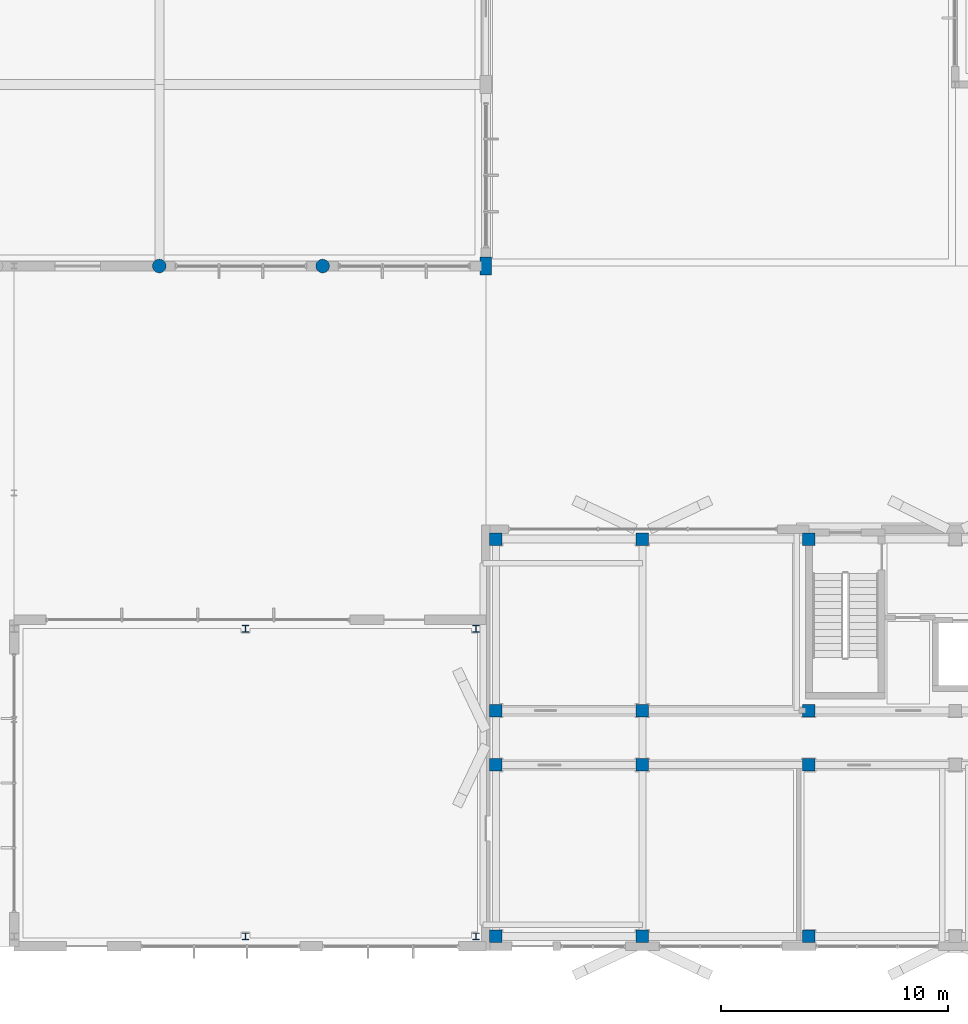
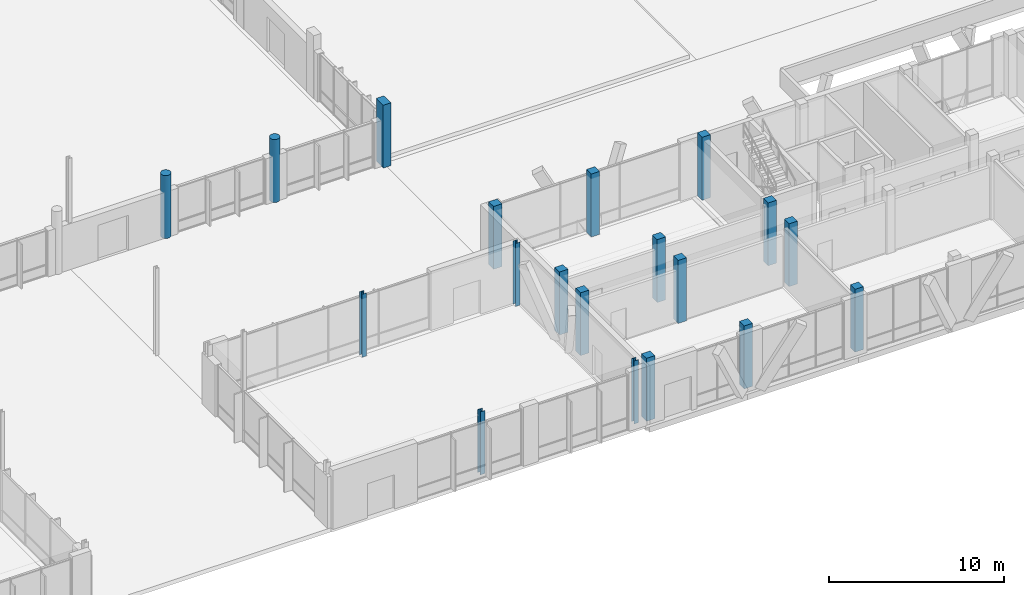
# One storey, part 6 of 233: 19 columns.
"""IFC4 building model written with IfcOpenShell, lengths in metres."""

from ifc_helpers import new_model, si_unit, direction, frame, origin, origin_2d, place, context, subcontext, project, spatial, rectangle, circle, i_section, extrude, material, material_profile, profile_set, type_object, element, save


model = new_model("IFC4")

# Units and contexts
model_context = context("Model", 3, precision=1e-05, world=origin(), true_north=direction((0.0, 1.0)))
body_context = subcontext(model_context, "Body", "Model", "MODEL_VIEW")
ifc_project = project(units=[si_unit("LENGTHUNIT", "METRE"), si_unit("AREAUNIT", "SQUARE_METRE"), si_unit("VOLUMEUNIT", "CUBIC_METRE"), si_unit("PLANEANGLEUNIT", "RADIAN"), si_unit("MASSUNIT", "GRAM", prefix="KILO")], contexts=[model_context])

# Site, building, storey
site_placement = place(None, origin())
site = spatial("IfcSite", under=ifc_project, at=site_placement, CompositionType="ELEMENT")
building_placement = place(site_placement, origin())
building = spatial("IfcBuilding", under=site, at=building_placement, Name="Zavelmont Quarter", CompositionType="ELEMENT")
storey_placement = place(building_placement, origin())
storey = spatial("IfcBuildingStorey", under=building, at=storey_placement, Name="L00", CompositionType="ELEMENT", Elevation=0.0)

# Columns
ifc_material_1 = material(Name="Concrete C40/50", Category="concrete")
ifc_material_profile_1 = material_profile(ifc_material_1, rectangle(XDim=0.550048828125, YDim=0.550048828125, at=origin_2d()), Name="RC550X550")
ifc_profile_set_1 = profile_set([ifc_material_profile_1], Name="Concrete C40/50")
column_type_1 = type_object("IfcColumnType", Name="CL02", PredefinedType="COLUMN", material=ifc_profile_set_1)
for number, where, z_axis, x_axis, name in (
    (1, (113.239990234375, 0.43994140625, 0.0), (0.0, 0.0, 1.0), (1.0, 0.0, 0.0), "L00 column CL02 at 17/A"),
    (2, (113.239990234375, 8.0, 0.0), (0.0, 0.0, 1.0), (1.0, 0.0, 0.0), "L00 column CL02 at 17/B"),
    (3, (113.239990234375, 10.39990234375, 0.0), (0.0, 0.0, 1.0), (1.0, 0.0, 0.0), "L00 column CL02 at 17/C"),
    (4, (113.239990234375, 17.9599609375, 0.0), (0.0, 0.0, 1.0), (1.0, 0.0, 0.0), "L00 column CL02 at 17/D"),
    (5, (119.699951171875, 0.43994140625, 0.0), (0.0, 0.0, 1.0), (1.0, 0.0, 0.0), "L00 column CL02 at 18/A"),
    (6, (119.699951171875, 8.0, 0.0), (0.0, 0.0, 1.0), (1.0, 0.0, 0.0), "L00 column CL02 at 18/B"),
    (7, (119.699951171875, 10.39990234375, 0.0), (0.0, 0.0, 1.0), (1.0, 0.0, 0.0), "L00 column CL02 at 18/C"),
    (8, (119.699951171875, 17.9599609375, 0.0), (0.0, 0.0, 1.0), (1.0, 0.0, 0.0), "L00 column CL02 at 18/D"),
    (9, (127.0400390625, 0.43994140625, 0.0), (0.0, 0.0, 1.0), (1.0, 0.0, 0.0), "L00 column CL02 at 19/A"),
    (10, (127.0400390625, 8.0, 0.0), (0.0, 0.0, 1.0), (1.0, 0.0, 0.0), "L00 column CL02 at 19/B"),
    (11, (127.0400390625, 10.39990234375, 0.0), (0.0, 0.0, 1.0), (1.0, 0.0, 0.0), "L00 column CL02 at 19/C"),
    (12, (127.0400390625, 17.9599609375, 0.0), (0.0, 0.0, 1.0), (1.0, 0.0, 0.0), "L00 column CL02 at 19/D"),
):
    element("IfcColumn", number, at=place(storey_placement, frame(where, z_axis=z_axis, x_axis=x_axis)), inside=storey, type_object=column_type_1, Name=name, PredefinedType="COLUMN", context=body_context, shape_type="SweptSolid", body=[
        extrude(rectangle(XDim=0.550048828125, YDim=0.550048828125, at=origin_2d()), origin(), (0.0, 0.0, 1.0), 4.39990234375),
    ])
ifc_material_profile_2 = material_profile(ifc_material_1, rectangle(XDim=0.5, YDim=0.800048828125, at=origin_2d()), Name="RC500X800")
ifc_profile_set_2 = profile_set([ifc_material_profile_2], Name="Concrete C40/50")
column_type_2 = type_object("IfcColumnType", Name="CL07", PredefinedType="COLUMN", material=ifc_profile_set_2)
column_placement = place(storey_placement, frame((112.800048828125, 30.0, 0.0), z_axis=(0.0, 0.0, 1.0), x_axis=(1.0, 0.0, 0.0)))
element("IfcColumn", 13, at=column_placement, inside=storey, type_object=column_type_2, Name="L00 column CL07 at 17/F", PredefinedType="COLUMN", context=body_context, shape_type="SweptSolid", body=[
    extrude(rectangle(XDim=0.5, YDim=0.800048828125, at=origin_2d()), origin(), (0.0, 0.0, 1.0), 4.39990234375),
])
ifc_material_profile_3 = material_profile(ifc_material_1, circle(Radius=0.300048828125, at=origin_2d()), Name="CHD600")
ifc_profile_set_3 = profile_set([ifc_material_profile_3], Name="Concrete C40/50")
column_type_3 = type_object("IfcColumnType", Name="CL08", PredefinedType="COLUMN", material=ifc_profile_set_3)
for number, where, z_axis, x_axis, name in (
    (14, (98.39990234375, 30.0, 0.0), (0.0, 0.0, 1.0), (1.0, 0.0, 0.0), "L00 column CL08 at 15/F"),
    (15, (105.60009765625, 30.0, 0.0), (0.0, 0.0, 1.0), (1.0, 0.0, 0.0), "L00 column CL08 at 16/F"),
):
    element("IfcColumn", number, at=place(storey_placement, frame(where, z_axis=z_axis, x_axis=x_axis)), inside=storey, type_object=column_type_3, Name=name, PredefinedType="COLUMN", context=body_context, shape_type="SweptSolid", body=[
        extrude(circle(Radius=0.300048828125, at=origin_2d()), origin(), (0.0, 0.0, 1.0), 4.39990234375),
    ])
ifc_material_2 = material(Name="Steel S355", Category="steel")
ifc_material_profile_4 = material_profile(ifc_material_2, i_section(OverallWidth=0.300048828125, OverallDepth=0.300048828125, WebThickness=0.010986328125, FlangeThickness=0.01904296875, at=origin_2d()), Name="HEB 300")
ifc_profile_set_4 = profile_set([ifc_material_profile_4], Name="Steel S355")
column_type_4 = type_object("IfcColumnType", Name="CL10", PredefinedType="COLUMN", material=ifc_profile_set_4)
for number, where, z_axis, x_axis, name in (
    (16, (102.199951171875, 0.43994140625, 0.0), (0.0, 0.0, 1.0), (1.0, 0.0, 0.0), "L00 column CL10 at 16/A"),
    (17, (102.199951171875, 14.0, 0.0), (0.0, 0.0, 1.0), (1.0, 0.0, 0.0), "L00 column CL10 at 16/C"),
    (18, (112.360107421875, 0.43994140625, 0.0), (0.0, 0.0, 1.0), (1.0, 0.0, 0.0), "L00 column CL10 at 17/A"),
    (19, (112.360107421875, 14.0, 0.0), (0.0, 0.0, 1.0), (1.0, 0.0, 0.0), "L00 column CL10 at 17/C"),
):
    element("IfcColumn", number, at=place(storey_placement, frame(where, z_axis=z_axis, x_axis=x_axis)), inside=storey, type_object=column_type_4, Name=name, PredefinedType="COLUMN", context=body_context, shape_type="SweptSolid", body=[
        extrude(i_section(OverallWidth=0.300048828125, OverallDepth=0.300048828125, WebThickness=0.010986328125, FlangeThickness=0.01904296875, at=origin_2d()), origin(), (0.0, 0.0, 1.0), 4.39990234375),
    ])

save(model, "model.ifc")
